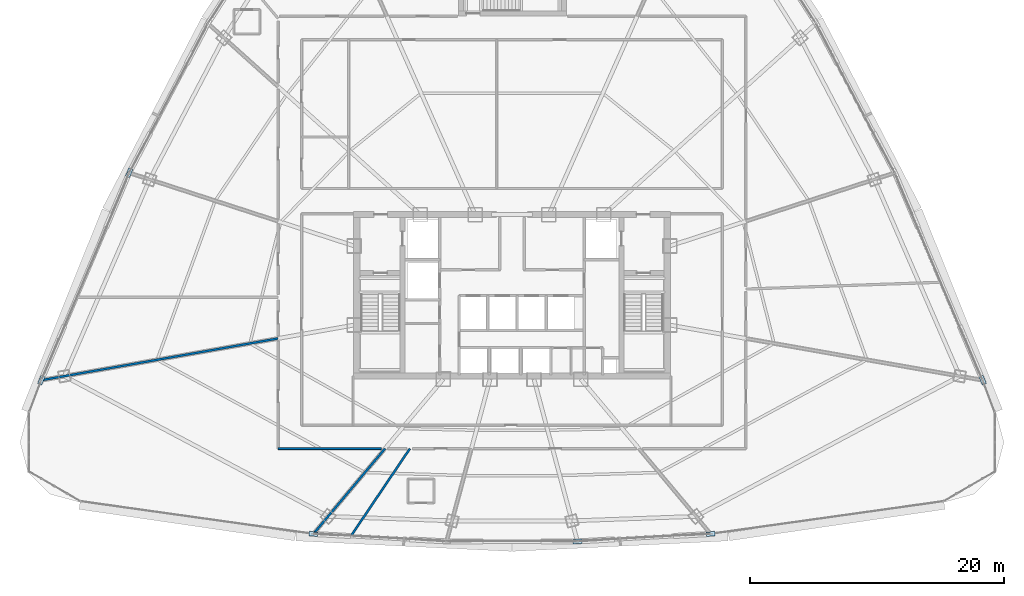
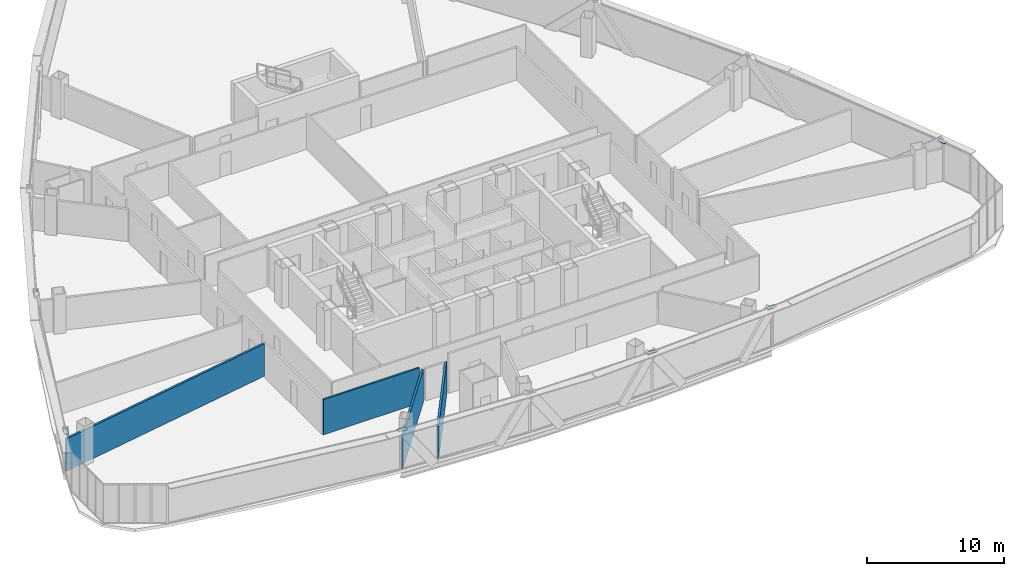
# One storey, part 30 of 38: 6 plates, 4 walls.
"""IFC4 building model written with IfcOpenShell, lengths in metres."""

from ifc_helpers import new_model, si_unit, direction, frame, frame_2d, origin, origin_2d, place, context, subcontext, project, spatial, rectangle, extrude, source, transform, mapped, material, layer, layer_set, type_object, element, save


model = new_model("IFC4")

# Units and contexts
model_context = context("Model", 3, precision=1e-05, world=origin(), true_north=direction((0.0, 1.0)))
body_context = subcontext(model_context, "Body", "Model", "MODEL_VIEW")
ifc_project = project(units=[si_unit("LENGTHUNIT", "METRE"), si_unit("AREAUNIT", "SQUARE_METRE"), si_unit("VOLUMEUNIT", "CUBIC_METRE"), si_unit("PLANEANGLEUNIT", "RADIAN"), si_unit("MASSUNIT", "GRAM", prefix="KILO"), si_unit("THERMODYNAMICTEMPERATUREUNIT", "KELVIN"), si_unit("POWERUNIT", "WATT")], contexts=[model_context])

# Site, building, storey
site_placement = place(None, origin())
site = spatial("IfcSite", under=ifc_project, at=site_placement, CompositionType="ELEMENT")
building_placement = place(site_placement, origin())
building = spatial("IfcBuilding", under=site, at=building_placement, Name="Yunzhuo Pagoda Commons", CompositionType="ELEMENT")
storey_placement = place(building_placement, frame((0.0, 0.0, 203.760009765625)))
storey = spatial("IfcBuildingStorey", under=building, at=storey_placement, Name="L51", CompositionType="ELEMENT", Elevation=203.760009765625)

# Plates
ifc_material_1 = material(Name="Structural steel Q355B", Category="steel")
ifc_layer_1 = layer(ifc_material_1, 0.028076171875)
ifc_layer_set_1 = layer_set([ifc_layer_1], Name="Structural steel Q355B")
plate_type = type_object("IfcPlateType", Name="SP-ND1 Lattice Node Cap Plate 800x500x28", PredefinedType="USERDEFINED", material=ifc_layer_set_1)
shared_shape = source(origin(), body_context, "Body", "SweptSolid", [
    extrude(rectangle(XDim=0.699951171875, YDim=0.35009765625, at=origin_2d()), origin(), (0.0, 0.0, 1.0), 0.035888671875),
])
for number, where, z_axis, x_axis, name in (
    (1, (32.378173828125, 15.08251953125, 3.501953125), (0.0, 0.0, 1.0), (0.998440764182, -0.055821504993, 0.0), "L51 setback lattice tie plate F1.1L"),
    (2, (53.1455078125, 14.496826171875, 3.501953125), (0.0, 0.0, 1.0), (0.998440764182, 0.055821504993, 0.0), "L51 setback lattice tie plate F1.3L"),
    (3, (63.621826171875, 15.08251953125, 3.501953125), (0.0, 0.0, 1.0), (0.998440764182, 0.055821504993, 0.0), "L51 setback lattice tie plate F1.3R"),
    (4, (85.014404296875, 27.17333984375, 3.501953125), (0.0, 0.0, 1.0), (-0.38997590261, 0.920825062313, 0.0), "L51 setback lattice tie plate F2.1L"),
    (5, (17.892578125, 43.482421875, 3.501953125), (0.0, 0.0, 1.0), (-0.38997590261, -0.920825062313, 0.0), "L51 setback lattice tie plate F3.3L"),
    (6, (10.985595703125, 27.17333984375, 3.501953125), (0.0, 0.0, 1.0), (-0.38997590261, -0.920825062313, 0.0), "L51 setback lattice tie plate F3.3R"),
):
    element("IfcPlate", number, at=place(storey_placement, frame(where, z_axis=z_axis, x_axis=x_axis)), inside=storey, type_object=plate_type, Name=name, ObjectType="STIFFENER_PLATE", PredefinedType="USERDEFINED", context=body_context, shape_type="MappedRepresentation", body=[
        mapped(shared_shape, transform((0.0, 0.0, 0.0), scale=1.0)),
    ])

# Walls
ifc_material_2 = material(Name="Gypsum plasterboard on acoustic stud")
ifc_layer_2 = layer(ifc_material_2, 0.155029296875)
ifc_layer_set_2 = layer_set([ifc_layer_2], Name="Gypsum plasterboard on acoustic stud")
wall_type_1 = type_object("IfcWallType", Name="W-COR2 Mid-Zone Rated Corridor Wall 155", PredefinedType="PARTITIONING", material=ifc_layer_set_2)
wall_1_placement = place(storey_placement, frame((37.7275390625, 21.800048828125, 0.0), z_axis=(0.0, 0.0, 1.0), x_axis=(-1.0, 0.0, 0.0)))
element("IfcWall", 7, at=wall_1_placement, inside=storey, type_object=wall_type_1, Name="L51 interior wall IW-L51-CWL18", PredefinedType="PARTITIONING", context=body_context, shape_type="SweptSolid", body=[
    extrude(rectangle(XDim=8.12744140625, YDim=0.155029296875, at=frame_2d((4.063720703125, 0.0))), origin(), (0.0, 0.0, 1.0), 3.139892578125),
])
ifc_layer_3 = layer(ifc_material_2, 0.175048828125)
ifc_layer_set_3 = layer_set([ifc_layer_3], Name="Gypsum plasterboard on acoustic stud")
wall_type_2 = type_object("IfcWallType", Name="W-PRT3 Mid-Zone Demising Wall 175", PredefinedType="PARTITIONING", material=ifc_layer_set_3)
wall_2_placement = place(storey_placement, frame((29.60009765625, 30.45556640625, 0.0), z_axis=(0.0, 0.0, 1.0), x_axis=(-0.984807864876, -0.173647543254, 0.0)))
element("IfcWall", 8, at=wall_2_placement, inside=storey, type_object=wall_type_2, Name="L51 interior wall IW-L51-RAD09", PredefinedType="PARTITIONING", context=body_context, shape_type="SweptSolid", body=[
    extrude(rectangle(XDim=18.901611328125, YDim=0.175048828125, at=frame_2d((9.45068359375, 0.0))), origin(), (0.0, 0.0, 1.0), 2.889892578125),
])
wall_3_placement = place(storey_placement, frame((38.0146484375, 21.800048828125, 0.0), z_axis=(0.0, 0.0, 1.0), x_axis=(-0.642774108653, -0.766055771629, 0.0)))
element("IfcWall", 9, at=wall_3_placement, inside=storey, type_object=wall_type_2, Name="L51 interior wall IW-L51-RAD10", PredefinedType="PARTITIONING", context=body_context, shape_type="SweptSolid", body=[
    extrude(rectangle(XDim=8.76904296875, YDim=0.175048828125, at=frame_2d((4.384521484375, 0.0))), origin(), (0.0, 0.0, 1.0), 2.889892578125),
])
wall_4_placement = place(storey_placement, frame((39.973388671875, 21.800048828125, 0.0), z_axis=(0.0, 0.0, 1.0), x_axis=(-0.559191496738, -0.829038521406, 0.0)))
element("IfcWall", 10, at=wall_4_placement, inside=storey, type_object=wall_type_2, Name="L51 interior wall IW-L51-RAD11", PredefinedType="PARTITIONING", context=body_context, shape_type="SweptSolid", body=[
    extrude(rectangle(XDim=8.3017578125, YDim=0.175048828125, at=frame_2d((4.15087890625, 0.0))), origin(), (0.0, 0.0, 1.0), 2.889892578125),
])

save(model, "model.ifc")
